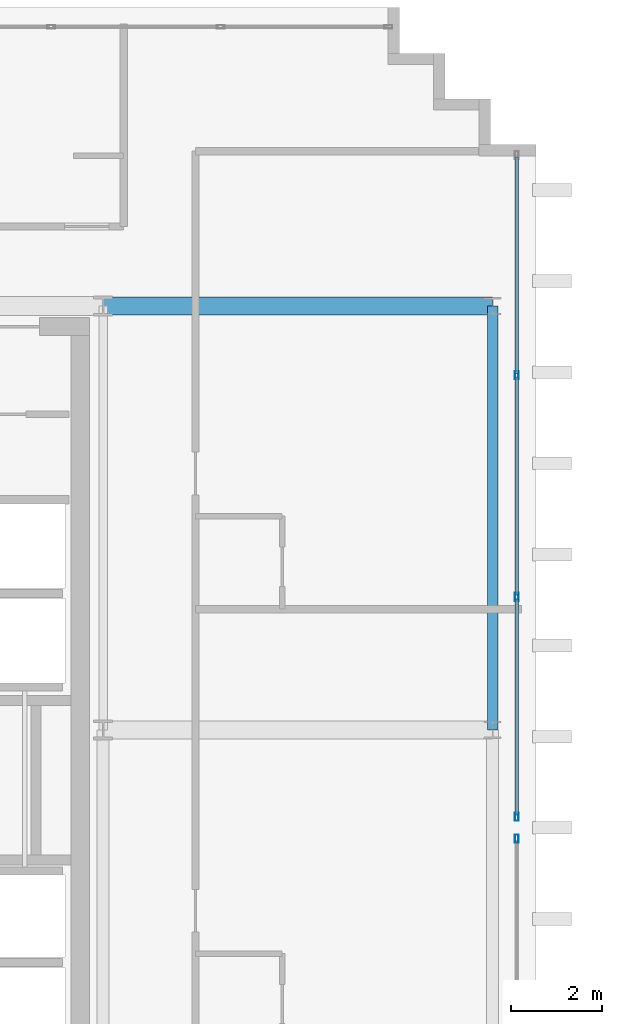
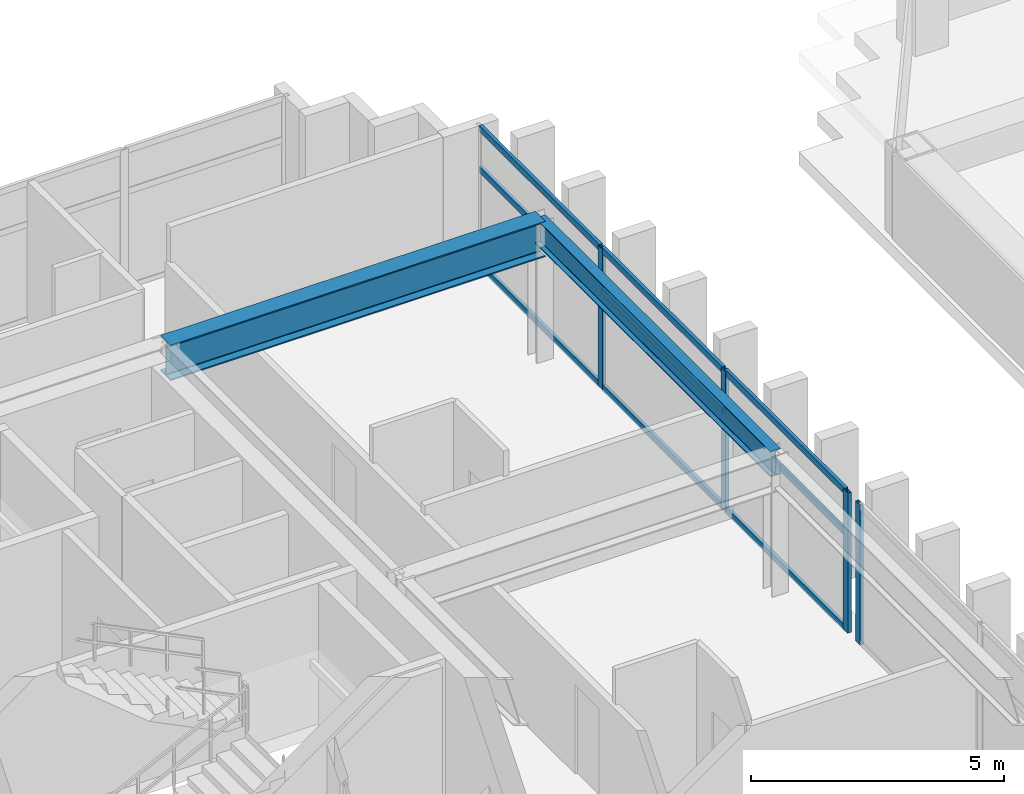
# One storey, part 9 of 17: 13 members, 2 beams, 2 elements without a shape of their own.
"""IFC4 building model written with IfcOpenShell, lengths in metres."""

from ifc_helpers import new_model, si_unit, direction, frame, origin, origin_2d, place, context, subcontext, project, spatial, hollow_rectangle, i_section, extrude, source, transform, mapped, material, layer, layer_set, material_profile, profile_set, type_object, element, aggregate, save


model = new_model("IFC4")

# Units and contexts
model_context = context("Model", 3, precision=1e-05, world=origin(), true_north=direction((0.0, 1.0)))
body_context = subcontext(model_context, "Body", "Model", "MODEL_VIEW")
ifc_project = project(units=[si_unit("LENGTHUNIT", "METRE"), si_unit("AREAUNIT", "SQUARE_METRE"), si_unit("VOLUMEUNIT", "CUBIC_METRE"), si_unit("PLANEANGLEUNIT", "RADIAN"), si_unit("MASSUNIT", "GRAM", prefix="KILO")], contexts=[model_context])

# Site, building, storey
site_placement = place(None, origin())
site = spatial("IfcSite", under=ifc_project, at=site_placement, CompositionType="ELEMENT")
building_placement = place(site_placement, origin())
building = spatial("IfcBuilding", under=site, at=building_placement, Name="Ocotamira Hotel", CompositionType="ELEMENT")
storey_placement = place(building_placement, frame((0.0, 0.0, 272.39990234375)))
storey = spatial("IfcBuildingStorey", under=building, at=storey_placement, Name="L69", CompositionType="ELEMENT", Elevation=272.39990234375)

# Beams
ifc_material_1 = material(Name="Steel ASTM A992 Grade 50", Category="steel")
ifc_material_profile_1 = material_profile(ifc_material_1, i_section(OverallWidth=0.22998046875, OverallDepth=0.616943359375, WebThickness=0.01318359375, FlangeThickness=0.022216796875, FilletRadius=0.012939453125, at=origin_2d()), Name="W24X94")
ifc_profile_set_1 = profile_set([ifc_material_profile_1], Name="Steel ASTM A992 Grade 50")
beam_type_1 = type_object("IfcBeamType", Name="BM-PRIM-W24X94", PredefinedType="BEAM", material=ifc_profile_set_1)
shared_shape_1 = source(origin(), body_context, "Body", "SweptSolid", [
    extrude(i_section(OverallWidth=0.22998046875, OverallDepth=0.616943359375, WebThickness=0.01318359375, FlangeThickness=0.022216796875, FilletRadius=0.012939453125, at=origin_2d()), origin(), (0.0, 0.0, 1.0), 9.300048828125),
])
beam_1_placement = place(storey_placement, frame((32.050048828125, 28.14990234375, 3.071533203125), z_axis=(0.0, 1.0, 0.0), x_axis=(-1.0, 0.0, 0.0)))
element("IfcBeam", 1, at=beam_1_placement, inside=storey, type_object=beam_type_1, Name="L69 Beam X32.05 Y28.15-37.45", PredefinedType="BEAM", context=body_context, shape_type="MappedRepresentation", body=[
    mapped(shared_shape_1, transform((0.0, 0.0, 0.0), scale=1.0)),
])
ifc_material_profile_2 = material_profile(ifc_material_1, i_section(OverallWidth=0.39990234375, OverallDepth=0.85595703125, WebThickness=0.018310546875, FlangeThickness=0.029296875, FilletRadius=0.02001953125, at=origin_2d()), Name="W33X201")
ifc_profile_set_2 = profile_set([ifc_material_profile_2], Name="Steel ASTM A992 Grade 50")
beam_type_2 = type_object("IfcBeamType", Name="BM-GIRD-W33X201", PredefinedType="BEAM", material=ifc_profile_set_2)
shared_shape_2 = source(origin(), body_context, "Body", "SweptSolid", [
    extrude(i_section(OverallWidth=0.39990234375, OverallDepth=0.85595703125, WebThickness=0.018310546875, FlangeThickness=0.029296875, FilletRadius=0.02001953125, at=origin_2d()), origin(), (0.0, 0.0, 1.0), 8.550048828125),
])
beam_2_placement = place(storey_placement, frame((23.5, 37.449951171875, 2.9521484375), z_axis=(1.0, 0.0, 0.0), x_axis=(0.0, 1.0, 0.0)))
element("IfcBeam", 2, at=beam_2_placement, inside=storey, type_object=beam_type_2, Name="L69 Girder Y37.45 X23.5-32.05", PredefinedType="BEAM", context=body_context, shape_type="MappedRepresentation", body=[
    mapped(shared_shape_2, transform((0.0, 0.0, 0.0), scale=1.0)),
])

# Curtain wall, member
ifc_material_2 = material(Name="Anodised pale-metal aluminium and solar glass", Category="aluminium")
ifc_layer = layer(ifc_material_2, 0.2099609375)
ifc_layer_set = layer_set([ifc_layer], Name="Anodised pale-metal aluminium and solar glass")
curtain_wall_type = type_object("IfcCurtainWallType", Name="CW-SYS7-PEAK", PredefinedType="NOTDEFINED", material=ifc_layer_set)
curtain_wall_1_placement = place(storey_placement, origin())
curtain_wall_1 = element("IfcCurtainWall", 3, at=curtain_wall_1_placement, inside=storey, type_object=curtain_wall_type, Name="L69 Curtain Wall CW-7 CW-L69-E1", PredefinedType="NOTDEFINED")
ifc_material_3 = material(Name="Anodised pale-metal aluminium 6063-T6", Category="aluminium")
ifc_material_profile_3 = material_profile(ifc_material_3, hollow_rectangle(XDim=0.080078125, YDim=0.179931640625, WallThickness=0.006103515625, at=origin_2d()), Name="HSS180X80X6")
ifc_profile_set_3 = profile_set([ifc_material_profile_3], Name="Anodised pale-metal aluminium 6063-T6")
member_type_1 = type_object("IfcMemberType", Name="CWM-180X75", PredefinedType="MULLION", material=ifc_profile_set_3)
shared_shape_3 = source(origin(), body_context, "Body", "SweptSolid", [
    extrude(hollow_rectangle(XDim=0.080078125, YDim=0.179931640625, WallThickness=0.006103515625, at=origin_2d()), origin(), (0.0, 0.0, 1.0), 3.380126953125),
])
member_1_placement = place(storey_placement, frame((32.580078125, 25.760009765625, 0.0), z_axis=(0.0, 0.0, 1.0), x_axis=(-1.0, 0.0, 0.0)))
member_1 = element("IfcMember", 4, at=member_1_placement, type_object=member_type_1, Name="CW-7 mullion 4", PredefinedType="MULLION", context=body_context, shape_type="MappedRepresentation", body=[
    mapped(shared_shape_3, transform((0.0, 0.0, 0.0), scale=1.0)),
])
aggregate(curtain_wall_1, [member_1])

# Curtain wall, members
curtain_wall_2_placement = place(storey_placement, origin())
curtain_wall_2 = element("IfcCurtainWall", 5, at=curtain_wall_2_placement, inside=storey, type_object=curtain_wall_type, Name="L69 Curtain Wall CW-7 CW-L69-E2", PredefinedType="NOTDEFINED")
member_2_placement = place(storey_placement, frame((32.580078125, 26.239990234375, 0.0), z_axis=(0.0, 0.0, 1.0), x_axis=(-1.0, 0.0, 0.0)))
member_2 = element("IfcMember", 6, at=member_2_placement, type_object=member_type_1, Name="CW-7 mullion 1", PredefinedType="MULLION", context=body_context, shape_type="MappedRepresentation", body=[
    mapped(shared_shape_3, transform((0.0, 0.0, 0.0), scale=1.0)),
])
member_3_placement = place(storey_placement, frame((32.580078125, 31.066650390625, 0.0), z_axis=(0.0, 0.0, 1.0), x_axis=(-1.0, 0.0, 0.0)))
member_3 = element("IfcMember", 7, at=member_3_placement, type_object=member_type_1, Name="CW-7 mullion 2", PredefinedType="MULLION", context=body_context, shape_type="MappedRepresentation", body=[
    mapped(shared_shape_3, transform((0.0, 0.0, 0.0), scale=1.0)),
])
member_4_placement = place(storey_placement, frame((32.580078125, 35.933349609375, 0.0), z_axis=(0.0, 0.0, 1.0), x_axis=(-1.0, 0.0, 0.0)))
member_4 = element("IfcMember", 8, at=member_4_placement, type_object=member_type_1, Name="CW-7 mullion 3", PredefinedType="MULLION", context=body_context, shape_type="MappedRepresentation", body=[
    mapped(shared_shape_3, transform((0.0, 0.0, 0.0), scale=1.0)),
])
ifc_material_profile_4 = material_profile(ifc_material_3, hollow_rectangle(XDim=0.074951171875, YDim=0.14990234375, WallThickness=0.006103515625, at=origin_2d()), Name="HSS150X75X6")
ifc_profile_set_4 = profile_set([ifc_material_profile_4], Name="Anodised pale-metal aluminium 6063-T6")
member_type_2 = type_object("IfcMemberType", Name="CWT-150X75", PredefinedType="USERDEFINED", material=ifc_profile_set_4)
shared_shape_4 = source(origin(), body_context, "Body", "SweptSolid", [
    extrude(hollow_rectangle(XDim=0.074951171875, YDim=0.14990234375, WallThickness=0.006103515625, at=origin_2d()), origin(), (0.0, 0.0, 1.0), 4.74658203125),
])
member_5_placement = place(storey_placement, frame((32.580078125, 26.280029296875, 0.03759765625), z_axis=(0.0, 1.0, 0.0), x_axis=(-1.0, 0.0, 0.0)))
member_5 = element("IfcMember", 9, at=member_5_placement, type_object=member_type_2, Name="CW-7 transom 1.1", ObjectType="TRANSOM", PredefinedType="USERDEFINED", context=body_context, shape_type="MappedRepresentation", body=[
    mapped(shared_shape_4, transform((0.0, 0.0, 0.0), scale=1.0)),
])
member_6_placement = place(storey_placement, frame((32.580078125, 26.280029296875, 2.35009765625), z_axis=(0.0, 1.0, 0.0), x_axis=(-1.0, 0.0, 0.0)))
member_6 = element("IfcMember", 10, at=member_6_placement, type_object=member_type_2, Name="CW-7 transom 1.2", ObjectType="TRANSOM", PredefinedType="USERDEFINED", context=body_context, shape_type="MappedRepresentation", body=[
    mapped(shared_shape_4, transform((0.0, 0.0, 0.0), scale=1.0)),
])
member_7_placement = place(storey_placement, frame((32.580078125, 26.280029296875, 3.342529296875), z_axis=(0.0, 1.0, 0.0), x_axis=(-1.0, 0.0, 0.0)))
member_7 = element("IfcMember", 11, at=member_7_placement, type_object=member_type_2, Name="CW-7 transom 1.3", ObjectType="TRANSOM", PredefinedType="USERDEFINED", context=body_context, shape_type="MappedRepresentation", body=[
    mapped(shared_shape_4, transform((0.0, 0.0, 0.0), scale=1.0)),
])
member_8_placement = place(storey_placement, frame((32.580078125, 35.973388671875, 0.03759765625), z_axis=(0.0, 1.0, 0.0), x_axis=(-1.0, 0.0, 0.0)))
member_8 = element("IfcMember", 12, at=member_8_placement, type_object=member_type_2, Name="CW-7 transom 3.1", ObjectType="TRANSOM", PredefinedType="USERDEFINED", context=body_context, shape_type="MappedRepresentation", body=[
    mapped(shared_shape_4, transform((0.0, 0.0, 0.0), scale=1.0)),
])
member_9_placement = place(storey_placement, frame((32.580078125, 35.973388671875, 2.35009765625), z_axis=(0.0, 1.0, 0.0), x_axis=(-1.0, 0.0, 0.0)))
member_9 = element("IfcMember", 13, at=member_9_placement, type_object=member_type_2, Name="CW-7 transom 3.2", ObjectType="TRANSOM", PredefinedType="USERDEFINED", context=body_context, shape_type="MappedRepresentation", body=[
    mapped(shared_shape_4, transform((0.0, 0.0, 0.0), scale=1.0)),
])
member_10_placement = place(storey_placement, frame((32.580078125, 35.973388671875, 3.342529296875), z_axis=(0.0, 1.0, 0.0), x_axis=(-1.0, 0.0, 0.0)))
member_10 = element("IfcMember", 14, at=member_10_placement, type_object=member_type_2, Name="CW-7 transom 3.3", ObjectType="TRANSOM", PredefinedType="USERDEFINED", context=body_context, shape_type="MappedRepresentation", body=[
    mapped(shared_shape_4, transform((0.0, 0.0, 0.0), scale=1.0)),
])
shared_shape_5 = source(origin(), body_context, "Body", "SweptSolid", [
    extrude(hollow_rectangle(XDim=0.074951171875, YDim=0.14990234375, WallThickness=0.006103515625, at=origin_2d()), origin(), (0.0, 0.0, 1.0), 4.78662109375),
])
member_11_placement = place(storey_placement, frame((32.580078125, 31.106689453125, 0.03759765625), z_axis=(0.0, 1.0, 0.0), x_axis=(-1.0, 0.0, 0.0)))
member_11 = element("IfcMember", 15, at=member_11_placement, type_object=member_type_2, Name="CW-7 transom 2.1", ObjectType="TRANSOM", PredefinedType="USERDEFINED", context=body_context, shape_type="MappedRepresentation", body=[
    mapped(shared_shape_5, transform((0.0, 0.0, 0.0), scale=1.0)),
])
member_12_placement = place(storey_placement, frame((32.580078125, 31.106689453125, 2.35009765625), z_axis=(0.0, 1.0, 0.0), x_axis=(-1.0, 0.0, 0.0)))
member_12 = element("IfcMember", 16, at=member_12_placement, type_object=member_type_2, Name="CW-7 transom 2.2", ObjectType="TRANSOM", PredefinedType="USERDEFINED", context=body_context, shape_type="MappedRepresentation", body=[
    mapped(shared_shape_5, transform((0.0, 0.0, 0.0), scale=1.0)),
])
member_13_placement = place(storey_placement, frame((32.580078125, 31.106689453125, 3.342529296875), z_axis=(0.0, 1.0, 0.0), x_axis=(-1.0, 0.0, 0.0)))
member_13 = element("IfcMember", 17, at=member_13_placement, type_object=member_type_2, Name="CW-7 transom 2.3", ObjectType="TRANSOM", PredefinedType="USERDEFINED", context=body_context, shape_type="MappedRepresentation", body=[
    mapped(shared_shape_5, transform((0.0, 0.0, 0.0), scale=1.0)),
])
aggregate(curtain_wall_2, [member_2, member_3, member_4, member_5, member_6, member_7, member_11, member_12, member_13, member_8, member_9, member_10])

save(model, "model.ifc")
